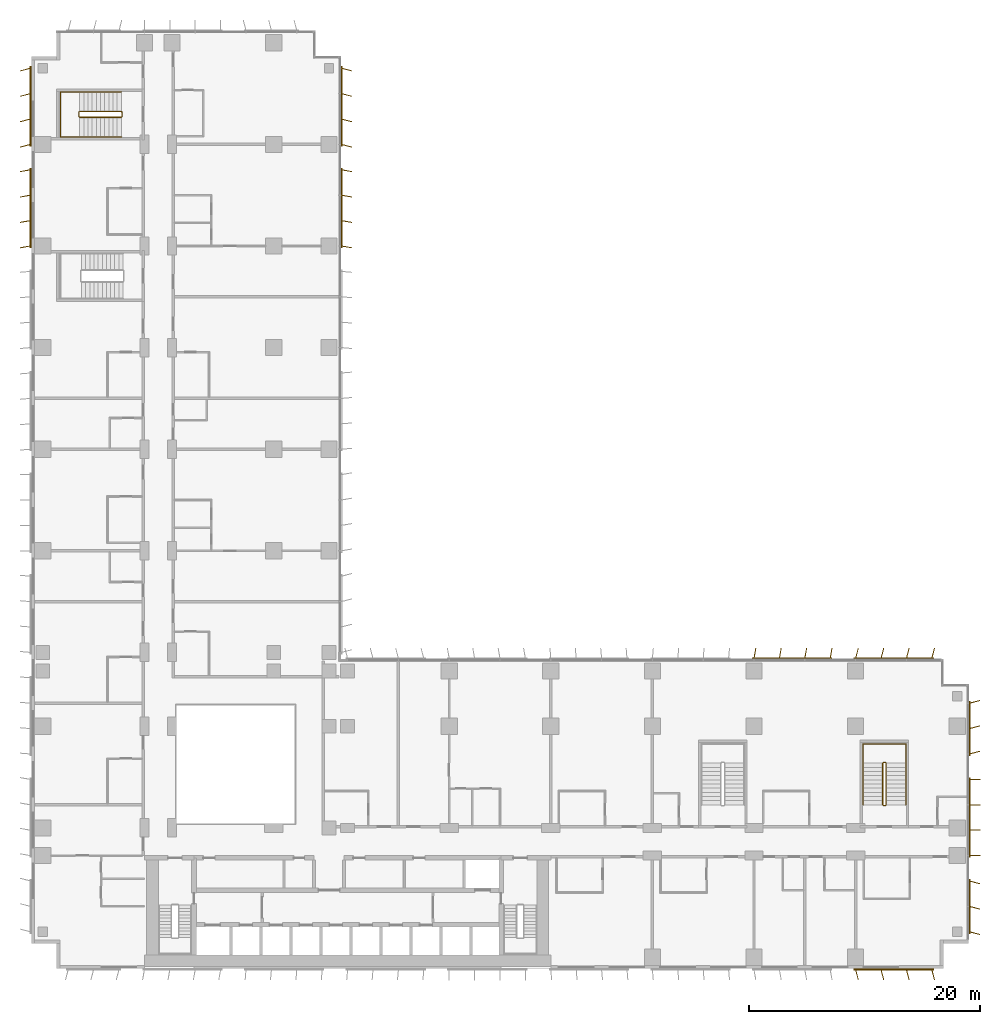
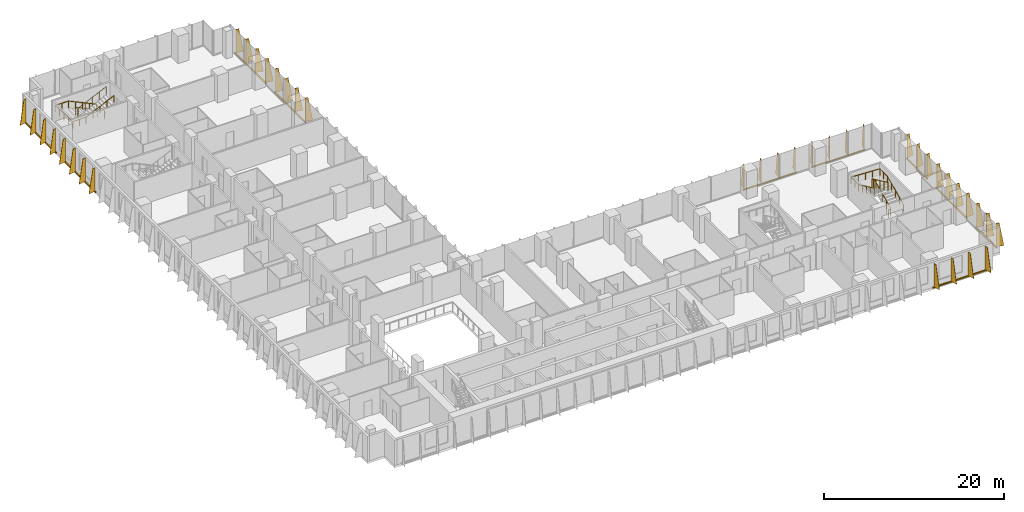
# One storey, part 23 of 24: 10 shading devices, 4 railings.
"""IFC4 building model written with IfcOpenShell, lengths in metres."""

from ifc_helpers import new_model, si_unit, direction, frame, origin, origin_2d, place, context, subcontext, project, spatial, polyline, rectangle, circle, outline, extrude, source, transform, mapped, material, layer, layer_set, type_object, element, save


model = new_model("IFC4")

# Units and contexts
model_context = context("Model", 3, precision=1e-05, world=origin(), true_north=direction((0.0, 1.0)))
body_context = subcontext(model_context, "Body", "Model", "MODEL_VIEW")
ifc_project = project(units=[si_unit("LENGTHUNIT", "METRE"), si_unit("AREAUNIT", "SQUARE_METRE"), si_unit("VOLUMEUNIT", "CUBIC_METRE"), si_unit("PLANEANGLEUNIT", "RADIAN"), si_unit("MASSUNIT", "GRAM", prefix="KILO")], contexts=[model_context])

# Site, building, storey
site_placement = place(None, origin())
site = spatial("IfcSite", under=ifc_project, at=site_placement, CompositionType="ELEMENT")
building_placement = place(site_placement, origin())
building = spatial("IfcBuilding", under=site, at=building_placement, Name="Kemantara Hotel Tower", CompositionType="ELEMENT")
storey_placement = place(building_placement, frame((0.0, 0.0, 41.39990234375)))
storey = spatial("IfcBuildingStorey", under=building, at=storey_placement, Name="L08", CompositionType="ELEMENT", Elevation=41.39990234375)

# Railings
ifc_material_1 = material(Name="Stainless steel balustrade", Category="steel")
railing_type_1 = type_object("IfcRailingType", Name="Stair guard 1100 mm", PredefinedType="GUARDRAIL", material=ifc_material_1)
railing_1_placement = place(storey_placement, frame((73.75, 14.199951171875, 3.7001953125)))
element("IfcRailing", 1, at=railing_1_placement, inside=storey, type_object=railing_type_1, Name="L08 ST5 stair guard 1", PredefinedType="GUARDRAIL", context=body_context, shape_type="SweptSolid", body=[
    extrude(circle(Radius=0.02392578125, at=origin_2d()), frame((0.0, 0.0, 1.076171875), z_axis=(0.0, 0.906005689286, -0.423265508849), x_axis=(-1.0, 0.0, 0.0)), (0.0, 0.0, 1.0), 3.9736328125),
    extrude(circle(Radius=0.02392578125, at=origin_2d()), frame((0.0, 3.60009765625, -0.60595703125), z_axis=(0.274243871929, 0.274243871929, -0.92172696468), x_axis=(-0.707106781187, 0.707106781187, 0.0)), (0.0, 0.0, 1.0), 0.1826171875),
    extrude(circle(Radius=0.02392578125, at=origin_2d()), frame((0.050048828125, 3.650146484375, -0.77392578125), z_axis=(1.0, 0.0, 0.0), x_axis=(0.0, 1.0, 0.0)), (0.0, 0.0, 1.0), 0.199951171875),
    extrude(circle(Radius=0.02392578125, at=origin_2d()), frame((0.25, 3.650146484375, -0.77392578125), z_axis=(0.707106781187, -0.707106781187, 0.0), x_axis=(0.707106781187, 0.707106781187, 0.0)), (0.0, 0.0, 1.0), 0.07080078125),
    extrude(circle(Radius=0.02392578125, at=origin_2d()), frame((0.300048828125, 3.60009765625, -0.77392578125), z_axis=(0.0, -0.906005689286, -0.423265508849), x_axis=(1.0, 0.0, 0.0)), (0.0, 0.0, 1.0), 3.9736328125),
    extrude(circle(Radius=0.02392578125, at=origin_2d()), frame((0.300048828125, 0.0, -2.4560546875), z_axis=(-0.274243871929, -0.274243871929, -0.92172696468), x_axis=(0.707106781187, -0.707106781187, 0.0)), (0.0, 0.0, 1.0), 0.1826171875),
    extrude(circle(Radius=0.02392578125, at=origin_2d()), frame((0.25, -0.050048828125, -2.6240234375), z_axis=(-1.0, 0.0, 0.0), x_axis=(0.0, -1.0, 0.0)), (0.0, 0.0, 1.0), 0.199951171875),
    extrude(circle(Radius=0.02099609375, at=origin_2d()), origin(), (0.0, 0.0, 1.0), 1.052001953125),
    extrude(circle(Radius=0.02099609375, at=origin_2d()), frame((0.0, 0.89990234375, -0.42041015625)), (0.0, 0.0, 1.0), 1.052001953125),
    extrude(circle(Radius=0.02099609375, at=origin_2d()), frame((0.0, 1.800048828125, -0.8408203125)), (0.0, 0.0, 1.0), 1.052001953125),
    extrude(circle(Radius=0.02099609375, at=origin_2d()), frame((0.0, 2.7001953125, -1.261474609375)), (0.0, 0.0, 1.0), 1.052001953125),
    extrude(circle(Radius=0.02099609375, at=origin_2d()), frame((0.0, 3.60009765625, -1.681884765625)), (0.0, 0.0, 1.0), 1.052001953125),
    extrude(circle(Radius=0.02099609375, at=origin_2d()), frame((0.050048828125, 3.650146484375, -1.85009765625)), (0.0, 0.0, 1.0), 1.052001953125),
    extrude(circle(Radius=0.02099609375, at=origin_2d()), frame((0.25, 3.650146484375, -1.85009765625)), (0.0, 0.0, 1.0), 1.052001953125),
    extrude(circle(Radius=0.02099609375, at=origin_2d()), frame((0.300048828125, 3.60009765625, -1.85009765625)), (0.0, 0.0, 1.0), 1.052001953125),
    extrude(circle(Radius=0.02099609375, at=origin_2d()), frame((0.300048828125, 2.7001953125, -2.2705078125)), (0.0, 0.0, 1.0), 1.052001953125),
    extrude(circle(Radius=0.02099609375, at=origin_2d()), frame((0.300048828125, 1.800048828125, -2.69091796875)), (0.0, 0.0, 1.0), 1.052001953125),
    extrude(circle(Radius=0.02099609375, at=origin_2d()), frame((0.300048828125, 0.89990234375, -3.111572265625)), (0.0, 0.0, 1.0), 1.052001953125),
    extrude(circle(Radius=0.02099609375, at=origin_2d()), frame((0.300048828125, 0.0, -3.531982421875)), (0.0, 0.0, 1.0), 1.052001953125),
    extrude(circle(Radius=0.02099609375, at=origin_2d()), frame((0.25, -0.050048828125, -3.7001953125)), (0.0, 0.0, 1.0), 1.052001953125),
    extrude(circle(Radius=0.02099609375, at=origin_2d()), frame((0.050048828125, -0.050048828125, -3.7001953125)), (0.0, 0.0, 1.0), 1.052001953125),
])
railing_2_placement = place(storey_placement, frame((7.800048828125, 73.75, 3.7001953125)))
element("IfcRailing", 2, at=railing_2_placement, inside=storey, type_object=railing_type_1, Name="L08 ST6 stair guard 1", PredefinedType="GUARDRAIL", context=body_context, shape_type="SweptSolid", body=[
    extrude(circle(Radius=0.02392578125, at=origin_2d()), frame((0.0, 0.0, 1.076171875), z_axis=(-0.906005689286, 0.0, -0.423265508849), x_axis=(0.0, -1.0, 0.0)), (0.0, 0.0, 1.0), 3.9736328125),
    extrude(circle(Radius=0.02392578125, at=origin_2d()), frame((-3.60009765625, 0.0, -0.60595703125), z_axis=(-0.274243871929, 0.274243871929, -0.92172696468), x_axis=(-0.707106781187, -0.707106781187, 0.0)), (0.0, 0.0, 1.0), 0.1826171875),
    extrude(circle(Radius=0.02392578125, at=origin_2d()), frame((-3.650146484375, 0.050048828125, -0.77392578125), z_axis=(0.0, 1.0, 0.0), x_axis=(-1.0, 0.0, 0.0)), (0.0, 0.0, 1.0), 0.39990234375),
    extrude(circle(Radius=0.02392578125, at=origin_2d()), frame((-3.650146484375, 0.449951171875, -0.77392578125), z_axis=(0.707106781187, 0.707106781187, 0.0), x_axis=(-0.707106781187, 0.707106781187, 0.0)), (0.0, 0.0, 1.0), 0.07080078125),
    extrude(circle(Radius=0.02392578125, at=origin_2d()), frame((-3.60009765625, 0.5, -0.77392578125), z_axis=(0.906005689286, 0.0, -0.423265508849), x_axis=(0.0, 1.0, 0.0)), (0.0, 0.0, 1.0), 3.9736328125),
    extrude(circle(Radius=0.02392578125, at=origin_2d()), frame((0.0, 0.5, -2.4560546875), z_axis=(0.274243871929, -0.274243871929, -0.92172696468), x_axis=(0.707106781187, 0.707106781187, 0.0)), (0.0, 0.0, 1.0), 0.1826171875),
    extrude(circle(Radius=0.02392578125, at=origin_2d()), frame((0.050048828125, 0.449951171875, -2.6240234375), z_axis=(0.0, -1.0, 0.0), x_axis=(1.0, 0.0, 0.0)), (0.0, 0.0, 1.0), 0.39990234375),
    extrude(circle(Radius=0.02099609375, at=origin_2d()), origin(), (0.0, 0.0, 1.0), 1.052001953125),
    extrude(circle(Radius=0.02099609375, at=origin_2d()), frame((-0.89990234375, 0.0, -0.42041015625)), (0.0, 0.0, 1.0), 1.052001953125),
    extrude(circle(Radius=0.02099609375, at=origin_2d()), frame((-1.800048828125, 0.0, -0.8408203125)), (0.0, 0.0, 1.0), 1.052001953125),
    extrude(circle(Radius=0.02099609375, at=origin_2d()), frame((-2.7001953125, 0.0, -1.261474609375)), (0.0, 0.0, 1.0), 1.052001953125),
    extrude(circle(Radius=0.02099609375, at=origin_2d()), frame((-3.60009765625, 0.0, -1.681884765625)), (0.0, 0.0, 1.0), 1.052001953125),
    extrude(circle(Radius=0.02099609375, at=origin_2d()), frame((-3.650146484375, 0.050048828125, -1.85009765625)), (0.0, 0.0, 1.0), 1.052001953125),
    extrude(circle(Radius=0.02099609375, at=origin_2d()), frame((-3.650146484375, 0.449951171875, -1.85009765625)), (0.0, 0.0, 1.0), 1.052001953125),
    extrude(circle(Radius=0.02099609375, at=origin_2d()), frame((-3.60009765625, 0.5, -1.85009765625)), (0.0, 0.0, 1.0), 1.052001953125),
    extrude(circle(Radius=0.02099609375, at=origin_2d()), frame((-2.7001953125, 0.5, -2.2705078125)), (0.0, 0.0, 1.0), 1.052001953125),
    extrude(circle(Radius=0.02099609375, at=origin_2d()), frame((-1.800048828125, 0.5, -2.69091796875)), (0.0, 0.0, 1.0), 1.052001953125),
    extrude(circle(Radius=0.02099609375, at=origin_2d()), frame((-0.89990234375, 0.5, -3.111572265625)), (0.0, 0.0, 1.0), 1.052001953125),
    extrude(circle(Radius=0.02099609375, at=origin_2d()), frame((0.0, 0.5, -3.531982421875)), (0.0, 0.0, 1.0), 1.052001953125),
    extrude(circle(Radius=0.02099609375, at=origin_2d()), frame((0.050048828125, 0.449951171875, -3.7001953125)), (0.0, 0.0, 1.0), 1.052001953125),
    extrude(circle(Radius=0.02099609375, at=origin_2d()), frame((0.050048828125, 0.050048828125, -3.7001953125)), (0.0, 0.0, 1.0), 1.052001953125),
])
railing_type_2 = type_object("IfcRailingType", Name="Stair handrail 900 mm", PredefinedType="HANDRAIL", material=ifc_material_1)
railing_3_placement = place(storey_placement, frame((75.75, 14.199951171875, 0.168212890625)))
element("IfcRailing", 3, at=railing_3_placement, inside=storey, type_object=railing_type_2, Name="L08 ST5 stair handrail 1", PredefinedType="HANDRAIL", context=body_context, shape_type="SweptSolid", body=[
    extrude(circle(Radius=0.02392578125, at=origin_2d()), frame((0.0, 0.0, 0.8759765625), z_axis=(0.0, 0.906005689286, 0.423265508849), x_axis=(-1.0, 0.0, 0.0)), (0.0, 0.0, 1.0), 3.9736328125),
    extrude(circle(Radius=0.02392578125, at=origin_2d()), frame((0.0, 3.60009765625, 2.5576171875), z_axis=(0.0, 1.0, 0.0), x_axis=(-1.0, 0.0, 0.0)), (0.0, 0.0, 1.0), 1.679931640625),
    extrude(circle(Radius=0.02392578125, at=origin_2d()), frame((0.0, 5.280029296875, 2.5576171875), z_axis=(-0.998968132438, 0.0, 0.045416631029), x_axis=(0.0, -1.0, 0.0)), (0.0, 0.0, 1.0), 3.703857421875),
    extrude(circle(Radius=0.02392578125, at=origin_2d()), frame((-3.699951171875, 5.280029296875, 2.72607421875), z_axis=(0.0, -1.0, 0.0), x_axis=(1.0, 0.0, 0.0)), (0.0, 0.0, 1.0), 1.679931640625),
    extrude(circle(Radius=0.02392578125, at=origin_2d()), frame((-3.699951171875, 3.60009765625, 2.72607421875), z_axis=(0.0, -0.906005689286, 0.423265508849), x_axis=(1.0, 0.0, 0.0)), (0.0, 0.0, 1.0), 3.9736328125),
    extrude(circle(Radius=0.02099609375, at=origin_2d()), origin(), (0.0, 0.0, 1.0), 0.851806640625),
    extrude(circle(Radius=0.02099609375, at=origin_2d()), frame((0.0, 0.89990234375, 0.42041015625)), (0.0, 0.0, 1.0), 0.851806640625),
    extrude(circle(Radius=0.02099609375, at=origin_2d()), frame((0.0, 1.800048828125, 0.8408203125)), (0.0, 0.0, 1.0), 0.851806640625),
    extrude(circle(Radius=0.02099609375, at=origin_2d()), frame((0.0, 2.7001953125, 1.261474609375)), (0.0, 0.0, 1.0), 0.851806640625),
    extrude(circle(Radius=0.02099609375, at=origin_2d()), frame((0.0, 3.60009765625, 1.681884765625)), (0.0, 0.0, 1.0), 0.851806640625),
    extrude(circle(Radius=0.02099609375, at=origin_2d()), frame((0.0, 4.43994140625, 1.681884765625)), (0.0, 0.0, 1.0), 0.851806640625),
    extrude(circle(Radius=0.02099609375, at=origin_2d()), frame((0.0, 5.280029296875, 1.681884765625)), (0.0, 0.0, 1.0), 0.851806640625),
    extrude(circle(Radius=0.02099609375, at=origin_2d()), frame((-0.925048828125, 5.280029296875, 1.723876953125)), (0.0, 0.0, 1.0), 0.851806640625),
    extrude(circle(Radius=0.02099609375, at=origin_2d()), frame((-1.85009765625, 5.280029296875, 1.76611328125)), (0.0, 0.0, 1.0), 0.851806640625),
    extrude(circle(Radius=0.02099609375, at=origin_2d()), frame((-2.77490234375, 5.280029296875, 1.80810546875)), (0.0, 0.0, 1.0), 0.851806640625),
    extrude(circle(Radius=0.02099609375, at=origin_2d()), frame((-3.699951171875, 5.280029296875, 1.85009765625)), (0.0, 0.0, 1.0), 0.851806640625),
    extrude(circle(Radius=0.02099609375, at=origin_2d()), frame((-3.699951171875, 4.43994140625, 1.85009765625)), (0.0, 0.0, 1.0), 0.851806640625),
    extrude(circle(Radius=0.02099609375, at=origin_2d()), frame((-3.699951171875, 3.60009765625, 1.85009765625)), (0.0, 0.0, 1.0), 0.851806640625),
    extrude(circle(Radius=0.02099609375, at=origin_2d()), frame((-3.699951171875, 2.7001953125, 2.2705078125)), (0.0, 0.0, 1.0), 0.851806640625),
    extrude(circle(Radius=0.02099609375, at=origin_2d()), frame((-3.699951171875, 1.800048828125, 2.69091796875)), (0.0, 0.0, 1.0), 0.851806640625),
    extrude(circle(Radius=0.02099609375, at=origin_2d()), frame((-3.699951171875, 0.89990234375, 3.111572265625)), (0.0, 0.0, 1.0), 0.851806640625),
    extrude(circle(Radius=0.02099609375, at=origin_2d()), frame((-3.699951171875, 0.0, 3.531982421875)), (0.0, 0.0, 1.0), 0.851806640625),
])
railing_4_placement = place(storey_placement, frame((7.800048828125, 75.949951171875, 0.168212890625)))
element("IfcRailing", 4, at=railing_4_placement, inside=storey, type_object=railing_type_2, Name="L08 ST6 stair handrail 1", PredefinedType="HANDRAIL", context=body_context, shape_type="SweptSolid", body=[
    extrude(circle(Radius=0.02392578125, at=origin_2d()), frame((0.0, 0.0, 0.8759765625), z_axis=(-0.906005689286, 0.0, 0.423265508849), x_axis=(0.0, -1.0, 0.0)), (0.0, 0.0, 1.0), 3.9736328125),
    extrude(circle(Radius=0.02392578125, at=origin_2d()), frame((-3.60009765625, 0.0, 2.5576171875), z_axis=(-1.0, 0.0, 0.0), x_axis=(0.0, -1.0, 0.0)), (0.0, 0.0, 1.0), 1.679931640625),
    extrude(circle(Radius=0.02392578125, at=origin_2d()), frame((-5.280029296875, 0.0, 2.5576171875), z_axis=(0.0, -0.999071085748, 0.043092523981), x_axis=(1.0, 0.0, 0.0)), (0.0, 0.0, 1.0), 3.903564453125),
    extrude(circle(Radius=0.02392578125, at=origin_2d()), frame((-5.280029296875, -3.89990234375, 2.72607421875), z_axis=(1.0, 0.0, 0.0), x_axis=(0.0, 1.0, 0.0)), (0.0, 0.0, 1.0), 1.679931640625),
    extrude(circle(Radius=0.02392578125, at=origin_2d()), frame((-3.60009765625, -3.89990234375, 2.72607421875), z_axis=(0.906005689286, 0.0, 0.423265508849), x_axis=(0.0, 1.0, 0.0)), (0.0, 0.0, 1.0), 3.9736328125),
    extrude(circle(Radius=0.02099609375, at=origin_2d()), origin(), (0.0, 0.0, 1.0), 0.851806640625),
    extrude(circle(Radius=0.02099609375, at=origin_2d()), frame((-0.89990234375, 0.0, 0.42041015625)), (0.0, 0.0, 1.0), 0.851806640625),
    extrude(circle(Radius=0.02099609375, at=origin_2d()), frame((-1.800048828125, 0.0, 0.8408203125)), (0.0, 0.0, 1.0), 0.851806640625),
    extrude(circle(Radius=0.02099609375, at=origin_2d()), frame((-2.7001953125, 0.0, 1.261474609375)), (0.0, 0.0, 1.0), 0.851806640625),
    extrude(circle(Radius=0.02099609375, at=origin_2d()), frame((-3.60009765625, 0.0, 1.681884765625)), (0.0, 0.0, 1.0), 0.851806640625),
    extrude(circle(Radius=0.02099609375, at=origin_2d()), frame((-4.43994140625, 0.0, 1.681884765625)), (0.0, 0.0, 1.0), 0.851806640625),
    extrude(circle(Radius=0.02099609375, at=origin_2d()), frame((-5.280029296875, 0.0, 1.681884765625)), (0.0, 0.0, 1.0), 0.851806640625),
    extrude(circle(Radius=0.02099609375, at=origin_2d()), frame((-5.280029296875, -0.97509765625, 1.723876953125)), (0.0, 0.0, 1.0), 0.851806640625),
    extrude(circle(Radius=0.02099609375, at=origin_2d()), frame((-5.280029296875, -1.949951171875, 1.76611328125)), (0.0, 0.0, 1.0), 0.851806640625),
    extrude(circle(Radius=0.02099609375, at=origin_2d()), frame((-5.280029296875, -2.9248046875, 1.80810546875)), (0.0, 0.0, 1.0), 0.851806640625),
    extrude(circle(Radius=0.02099609375, at=origin_2d()), frame((-5.280029296875, -3.89990234375, 1.85009765625)), (0.0, 0.0, 1.0), 0.851806640625),
    extrude(circle(Radius=0.02099609375, at=origin_2d()), frame((-4.43994140625, -3.89990234375, 1.85009765625)), (0.0, 0.0, 1.0), 0.851806640625),
    extrude(circle(Radius=0.02099609375, at=origin_2d()), frame((-3.60009765625, -3.89990234375, 1.85009765625)), (0.0, 0.0, 1.0), 0.851806640625),
    extrude(circle(Radius=0.02099609375, at=origin_2d()), frame((-2.7001953125, -3.89990234375, 2.2705078125)), (0.0, 0.0, 1.0), 0.851806640625),
    extrude(circle(Radius=0.02099609375, at=origin_2d()), frame((-1.800048828125, -3.89990234375, 2.69091796875)), (0.0, 0.0, 1.0), 0.851806640625),
    extrude(circle(Radius=0.02099609375, at=origin_2d()), frame((-0.89990234375, -3.89990234375, 3.111572265625)), (0.0, 0.0, 1.0), 0.851806640625),
    extrude(circle(Radius=0.02099609375, at=origin_2d()), frame((0.0, -3.89990234375, 3.531982421875)), (0.0, 0.0, 1.0), 0.851806640625),
])

# Shading devices
ifc_material_2 = material(Name="Perforated aluminium plate 4 mm bronze anodised", Category="aluminium")
ifc_layer_1 = layer(ifc_material_2, 0.0400390625)
ifc_layer_set_1 = layer_set([ifc_layer_1], Name="Perforated aluminium plate 4 mm bronze anodised")
shading_device_type_1 = type_object("IfcShadingDeviceType", Name="SCREEN FIN CASSETTE, 3 BLADES AT -15.0 DEG, 3200 HIGH", PredefinedType="USERDEFINED", material=ifc_layer_set_1)
shared_shape_1 = source(origin(), body_context, "Body", "SweptSolid", [
    extrude(rectangle(XDim=4.699951171875, YDim=0.14990234375, at=origin_2d()), frame((2.199951171875, -0.074951171875, -0.14990234375), z_axis=(0.0, 0.0, 1.0), x_axis=(1.0, 0.0, 0.0)), (0.0, 0.0, 1.0), 0.14990234375),
    extrude(outline(polyline([(0.0, 0.0), (0.89990234375, 0.0), (0.35009765625, 3.199951171875), (0.0, 3.199951171875), (0.0, 0.0)])), frame((0.019287109375, -0.080078125, 0.0), z_axis=(-0.966437683387, 0.256901156343, 0.0), x_axis=(-0.256901156343, -0.966437683387, 0.0)), (0.0, 0.0, 1.0), 0.039794921875),
    extrude(outline(polyline([(0.0, 0.0), (0.89990234375, 0.0), (0.35009765625, 3.199951171875), (0.0, 3.199951171875), (0.0, 0.0)])), frame((2.21923828125, -0.080078125, 0.0), z_axis=(-0.966437683387, 0.256901156343, 0.0), x_axis=(-0.256901156343, -0.966437683387, 0.0)), (0.0, 0.0, 1.0), 0.039794921875),
    extrude(outline(polyline([(0.0, 0.0), (0.89990234375, 0.0), (0.35009765625, 3.199951171875), (0.0, 3.199951171875), (0.0, 0.0)])), frame((4.41943359375, -0.080078125, 0.0), z_axis=(-0.966837822169, 0.255391122837, 0.0), x_axis=(-0.255391122837, -0.966837822169, 0.0)), (0.0, 0.0, 1.0), 0.0400390625),
])
shading_device_1_placement = place(storey_placement, frame((81.199951171875, 3.199951171875, 0.10009765625), z_axis=(0.0, 0.0, 1.0), x_axis=(0.0, 1.0, 0.0)))
element("IfcShadingDevice", 5, at=shading_device_1_placement, inside=storey, type_object=shading_device_type_1, Name="SCREEN FIN CASSETTE L08 T1-R04-1", ObjectType="SCREEN FIN", PredefinedType="USERDEFINED", context=body_context, shape_type="MappedRepresentation", body=[
    mapped(shared_shape_1, transform((0.0, 0.0, 0.0))),
])
ifc_layer_2 = layer(ifc_material_2, 0.0400390625)
ifc_layer_set_2 = layer_set([ifc_layer_2], Name="Perforated aluminium plate 4 mm bronze anodised")
shading_device_type_2 = type_object("IfcShadingDeviceType", Name="SCREEN FIN CASSETTE, 4 BLADES AT -10.0 DEG, 3200 HIGH", PredefinedType="USERDEFINED", material=ifc_layer_set_2)
shared_shape_2 = source(origin(), body_context, "Body", "SweptSolid", [
    extrude(rectangle(XDim=6.89990234375, YDim=0.14990234375, at=origin_2d()), frame((3.300048828125, -0.074951171875, -0.14990234375), z_axis=(0.0, 0.0, 1.0), x_axis=(1.0, 0.0, 0.0)), (0.0, 0.0, 1.0), 0.14990234375),
    extrude(outline(polyline([(0.0, 0.0), (0.89990234375, 0.0), (0.35009765625, 3.199951171875), (0.0, 3.199951171875), (0.0, 0.0)])), frame((0.019775390625, -0.078369140625, 0.0), z_axis=(-0.985389793052, 0.170314285219, 0.0), x_axis=(-0.170314285219, -0.985389793052, 0.0)), (0.0, 0.0, 1.0), 0.0400390625),
    extrude(outline(polyline([(0.0, 0.0), (0.89990234375, 0.0), (0.35009765625, 3.199951171875), (0.0, 3.199951171875), (0.0, 0.0)])), frame((2.2197265625, -0.078369140625, 0.0), z_axis=(-0.98521175482, 0.171341174751, 0.0), x_axis=(-0.171341174751, -0.98521175482, 0.0)), (0.0, 0.0, 1.0), 0.039794921875),
    extrude(outline(polyline([(0.0, 0.0), (0.89990234375, 0.0), (0.35009765625, 3.199951171875), (0.0, 3.199951171875), (0.0, 0.0)])), frame((4.419677734375, -0.078369140625, 0.0), z_axis=(-0.98521175482, 0.171341174751, 0.0), x_axis=(-0.171341174751, -0.98521175482, 0.0)), (0.0, 0.0, 1.0), 0.039794921875),
    extrude(outline(polyline([(0.0, 0.0), (0.89990234375, 0.0), (0.35009765625, 3.199951171875), (0.0, 3.199951171875), (0.0, 0.0)])), frame((6.61962890625, -0.078369140625, 0.0), z_axis=(-0.98521175482, 0.171341174751, 0.0), x_axis=(-0.171341174751, -0.98521175482, 0.0)), (0.0, 0.0, 1.0), 0.039794921875),
])
for number, where, z_axis, x_axis, name in (
    (6, (69.199951171875, 26.800048828125, 0.10009765625), (0.0, 0.0, 1.0), (-1.0, 0.0, 0.0), "SCREEN FIN CASSETTE L08 T1-R07-2"),
    (7, (26.800048828125, 62.60009765625, 0.10009765625), (0.0, 0.0, 1.0), (0.0, 1.0, 0.0), "SCREEN FIN CASSETTE L08 T1-R08-5"),
):
    element("IfcShadingDevice", number, at=place(storey_placement, frame(where, z_axis=z_axis, x_axis=x_axis)), inside=storey, type_object=shading_device_type_2, Name=name, ObjectType="SCREEN FIN", PredefinedType="USERDEFINED", context=body_context, shape_type="MappedRepresentation", body=[
        mapped(shared_shape_2, transform((0.0, 0.0, 0.0))),
    ])
ifc_layer_3 = layer(ifc_material_2, 0.0400390625)
ifc_layer_set_3 = layer_set([ifc_layer_3], Name="Perforated aluminium plate 4 mm bronze anodised")
shading_device_type_3 = type_object("IfcShadingDeviceType", Name="SCREEN FIN CASSETTE, 4 BLADES AT +0.0 DEG, 3200 HIGH", PredefinedType="USERDEFINED", material=ifc_layer_set_3)
shared_shape_3 = source(origin(), body_context, "Body", "SweptSolid", [
    extrude(rectangle(XDim=6.89990234375, YDim=0.14990234375, at=origin_2d()), frame((3.300048828125, -0.074951171875, -0.14990234375), z_axis=(0.0, 0.0, 1.0), x_axis=(1.0, 0.0, 0.0)), (0.0, 0.0, 1.0), 0.14990234375),
    extrude(outline(polyline([(0.0, 0.0), (0.89990234375, 0.0), (0.35009765625, 3.199951171875), (0.0, 3.199951171875), (0.0, 0.0)])), frame((0.02001953125, -0.074951171875, 0.0), z_axis=(-1.0, 0.0, 0.0), x_axis=(0.0, -1.0, 0.0)), (0.0, 0.0, 1.0), 0.0400390625),
    extrude(outline(polyline([(0.0, 0.0), (0.89990234375, 0.0), (0.35009765625, 3.199951171875), (0.0, 3.199951171875), (0.0, 0.0)])), frame((2.219970703125, -0.074951171875, 0.0), z_axis=(-1.0, 0.0, 0.0), x_axis=(0.0, -1.0, 0.0)), (0.0, 0.0, 1.0), 0.0400390625),
    extrude(outline(polyline([(0.0, 0.0), (0.89990234375, 0.0), (0.35009765625, 3.199951171875), (0.0, 3.199951171875), (0.0, 0.0)])), frame((4.419921875, -0.074951171875, 0.0), z_axis=(-1.0, 0.0, 0.0), x_axis=(0.0, -1.0, 0.0)), (0.0, 0.0, 1.0), 0.0400390625),
    extrude(outline(polyline([(0.0, 0.0), (0.89990234375, 0.0), (0.35009765625, 3.199951171875), (0.0, 3.199951171875), (0.0, 0.0)])), frame((6.6201171875, -0.074951171875, 0.0), z_axis=(-1.0, 0.0, 0.0), x_axis=(0.0, -1.0, 0.0)), (0.0, 0.0, 1.0), 0.0400390625),
])
shading_device_2_placement = place(storey_placement, frame((81.199951171875, 9.800048828125, 0.10009765625), z_axis=(0.0, 0.0, 1.0), x_axis=(0.0, 1.0, 0.0)))
element("IfcShadingDevice", 8, at=shading_device_2_placement, inside=storey, type_object=shading_device_type_3, Name="SCREEN FIN CASSETTE L08 T1-R04-2", ObjectType="SCREEN FIN", PredefinedType="USERDEFINED", context=body_context, shape_type="MappedRepresentation", body=[
    mapped(shared_shape_3, transform((0.0, 0.0, 0.0))),
])
ifc_layer_4 = layer(ifc_material_2, 0.0400390625)
ifc_layer_set_4 = layer_set([ifc_layer_4], Name="Perforated aluminium plate 4 mm bronze anodised")
shading_device_type_4 = type_object("IfcShadingDeviceType", Name="SCREEN FIN CASSETTE, 4 BLADES AT +10.0 DEG, 3200 HIGH", PredefinedType="USERDEFINED", material=ifc_layer_set_4)
shared_shape_4 = source(origin(), body_context, "Body", "SweptSolid", [
    extrude(rectangle(XDim=6.89990234375, YDim=0.14990234375, at=origin_2d()), frame((3.300048828125, -0.074951171875, -0.14990234375), z_axis=(0.0, 0.0, 1.0), x_axis=(1.0, 0.0, 0.0)), (0.0, 0.0, 1.0), 0.14990234375),
    extrude(outline(polyline([(0.0, 0.0), (0.89990234375, 0.0), (0.35009765625, 3.199951171875), (0.0, 3.199951171875), (0.0, 0.0)])), frame((0.019775390625, -0.071533203125, 0.0), z_axis=(-0.985389793052, -0.170314285219, 0.0), x_axis=(0.170314285219, -0.985389793052, 0.0)), (0.0, 0.0, 1.0), 0.0400390625),
    extrude(outline(polyline([(0.0, 0.0), (0.89990234375, 0.0), (0.35009765625, 3.199951171875), (0.0, 3.199951171875), (0.0, 0.0)])), frame((2.2197265625, -0.071533203125, 0.0), z_axis=(-0.98521175482, -0.171341174751, 0.0), x_axis=(0.171341174751, -0.98521175482, 0.0)), (0.0, 0.0, 1.0), 0.039794921875),
    extrude(outline(polyline([(0.0, 0.0), (0.89990234375, 0.0), (0.35009765625, 3.199951171875), (0.0, 3.199951171875), (0.0, 0.0)])), frame((4.419677734375, -0.071533203125, 0.0), z_axis=(-0.98521175482, -0.171341174751, 0.0), x_axis=(0.171341174751, -0.98521175482, 0.0)), (0.0, 0.0, 1.0), 0.039794921875),
    extrude(outline(polyline([(0.0, 0.0), (0.89990234375, 0.0), (0.35009765625, 3.199951171875), (0.0, 3.199951171875), (0.0, 0.0)])), frame((6.61962890625, -0.071533203125, 0.0), z_axis=(-0.98521175482, -0.171341174751, 0.0), x_axis=(0.171341174751, -0.98521175482, 0.0)), (0.0, 0.0, 1.0), 0.039794921875),
])
shading_device_3_placement = place(storey_placement, frame((0.0, 69.199951171875, 0.10009765625), z_axis=(0.0, 0.0, 1.0), x_axis=(0.0, -1.0, 0.0)))
element("IfcShadingDevice", 9, at=shading_device_3_placement, inside=storey, type_object=shading_device_type_4, Name="SCREEN FIN CASSETTE L08 T1-R14-2", ObjectType="SCREEN FIN", PredefinedType="USERDEFINED", context=body_context, shape_type="MappedRepresentation", body=[
    mapped(shared_shape_4, transform((0.0, 0.0, 0.0))),
])
ifc_layer_5 = layer(ifc_material_2, 0.0400390625)
ifc_layer_set_5 = layer_set([ifc_layer_5], Name="Perforated aluminium plate 4 mm bronze anodised")
shading_device_type_5 = type_object("IfcShadingDeviceType", Name="SCREEN FIN CASSETTE, 4 BLADES AT +15.0 DEG, 3200 HIGH", PredefinedType="USERDEFINED", material=ifc_layer_set_5)
shared_shape_5 = source(origin(), body_context, "Body", "SweptSolid", [
    extrude(rectangle(XDim=6.89990234375, YDim=0.14990234375, at=origin_2d()), frame((3.300048828125, -0.074951171875, -0.14990234375), z_axis=(0.0, 0.0, 1.0), x_axis=(1.0, 0.0, 0.0)), (0.0, 0.0, 1.0), 0.14990234375),
    extrude(outline(polyline([(0.0, 0.0), (0.89990234375, 0.0), (0.35009765625, 3.199951171875), (0.0, 3.199951171875), (0.0, 0.0)])), frame((0.019287109375, -0.06982421875, 0.0), z_axis=(-0.966437683387, -0.256901156343, 0.0), x_axis=(0.256901156343, -0.966437683387, 0.0)), (0.0, 0.0, 1.0), 0.039794921875),
    extrude(outline(polyline([(0.0, 0.0), (0.89990234375, 0.0), (0.35009765625, 3.199951171875), (0.0, 3.199951171875), (0.0, 0.0)])), frame((2.21923828125, -0.06982421875, 0.0), z_axis=(-0.966437683387, -0.256901156343, 0.0), x_axis=(0.256901156343, -0.966437683387, 0.0)), (0.0, 0.0, 1.0), 0.039794921875),
    extrude(outline(polyline([(0.0, 0.0), (0.89990234375, 0.0), (0.35009765625, 3.199951171875), (0.0, 3.199951171875), (0.0, 0.0)])), frame((4.41943359375, -0.06982421875, 0.0), z_axis=(-0.966837822169, -0.255391122837, 0.0), x_axis=(0.255391122837, -0.966837822169, 0.0)), (0.0, 0.0, 1.0), 0.0400390625),
    extrude(outline(polyline([(0.0, 0.0), (0.89990234375, 0.0), (0.35009765625, 3.199951171875), (0.0, 3.199951171875), (0.0, 0.0)])), frame((6.619384765625, -0.06982421875, 0.0), z_axis=(-0.966837822169, -0.255391122837, 0.0), x_axis=(0.255391122837, -0.966837822169, 0.0)), (0.0, 0.0, 1.0), 0.0400390625),
])
for number, where, z_axis, x_axis, name in (
    (10, (71.39990234375, 0.0, 0.10009765625), (0.0, 0.0, 1.0), (1.0, 0.0, 0.0), "SCREEN FIN CASSETTE L08 T1-R01-9"),
    (11, (0.0, 78.0, 0.10009765625), (0.0, 0.0, 1.0), (0.0, -1.0, 0.0), "SCREEN FIN CASSETTE L08 T1-R14-1"),
):
    element("IfcShadingDevice", number, at=place(storey_placement, frame(where, z_axis=z_axis, x_axis=x_axis)), inside=storey, type_object=shading_device_type_5, Name=name, ObjectType="SCREEN FIN", PredefinedType="USERDEFINED", context=body_context, shape_type="MappedRepresentation", body=[
        mapped(shared_shape_5, transform((0.0, 0.0, 0.0))),
    ])
ifc_layer_6 = layer(ifc_material_2, 0.0400390625)
ifc_layer_set_6 = layer_set([ifc_layer_6], Name="Perforated aluminium plate 4 mm bronze anodised")
shading_device_type_6 = type_object("IfcShadingDeviceType", Name="SCREEN FIN CASSETTE, 3 BLADES AT +15.0 DEG, 3200 HIGH", PredefinedType="USERDEFINED", material=ifc_layer_set_6)
shared_shape_6 = source(origin(), body_context, "Body", "SweptSolid", [
    extrude(rectangle(XDim=4.699951171875, YDim=0.14990234375, at=origin_2d()), frame((2.199951171875, -0.074951171875, -0.14990234375), z_axis=(0.0, 0.0, 1.0), x_axis=(1.0, 0.0, 0.0)), (0.0, 0.0, 1.0), 0.14990234375),
    extrude(outline(polyline([(0.0, 0.0), (0.89990234375, 0.0), (0.35009765625, 3.199951171875), (0.0, 3.199951171875), (0.0, 0.0)])), frame((0.019287109375, -0.06982421875, 0.0), z_axis=(-0.966437683387, -0.256901156343, 0.0), x_axis=(0.256901156343, -0.966437683387, 0.0)), (0.0, 0.0, 1.0), 0.039794921875),
    extrude(outline(polyline([(0.0, 0.0), (0.89990234375, 0.0), (0.35009765625, 3.199951171875), (0.0, 3.199951171875), (0.0, 0.0)])), frame((2.21923828125, -0.06982421875, 0.0), z_axis=(-0.966437683387, -0.256901156343, 0.0), x_axis=(0.256901156343, -0.966437683387, 0.0)), (0.0, 0.0, 1.0), 0.039794921875),
    extrude(outline(polyline([(0.0, 0.0), (0.89990234375, 0.0), (0.35009765625, 3.199951171875), (0.0, 3.199951171875), (0.0, 0.0)])), frame((4.41943359375, -0.06982421875, 0.0), z_axis=(-0.966837822169, -0.255391122837, 0.0), x_axis=(0.255391122837, -0.966837822169, 0.0)), (0.0, 0.0, 1.0), 0.0400390625),
])
shading_device_4_placement = place(storey_placement, frame((81.199951171875, 18.60009765625, 0.10009765625), z_axis=(0.0, 0.0, 1.0), x_axis=(0.0, 1.0, 0.0)))
element("IfcShadingDevice", 12, at=shading_device_4_placement, inside=storey, type_object=shading_device_type_6, Name="SCREEN FIN CASSETTE L08 T1-R04-3", ObjectType="SCREEN FIN", PredefinedType="USERDEFINED", context=body_context, shape_type="MappedRepresentation", body=[
    mapped(shared_shape_6, transform((0.0, 0.0, 0.0))),
])
ifc_layer_7 = layer(ifc_material_2, 0.0400390625)
ifc_layer_set_7 = layer_set([ifc_layer_7], Name="Perforated aluminium plate 4 mm bronze anodised")
shading_device_type_7 = type_object("IfcShadingDeviceType", Name="SCREEN FIN CASSETTE, 4 BLADES AT -15.0 DEG, 3200 HIGH", PredefinedType="USERDEFINED", material=ifc_layer_set_7)
shared_shape_7 = source(origin(), body_context, "Body", "SweptSolid", [
    extrude(rectangle(XDim=6.89990234375, YDim=0.14990234375, at=origin_2d()), frame((3.300048828125, -0.074951171875, -0.14990234375), z_axis=(0.0, 0.0, 1.0), x_axis=(1.0, 0.0, 0.0)), (0.0, 0.0, 1.0), 0.14990234375),
    extrude(outline(polyline([(0.0, 0.0), (0.89990234375, 0.0), (0.35009765625, 3.199951171875), (0.0, 3.199951171875), (0.0, 0.0)])), frame((0.019287109375, -0.080078125, 0.0), z_axis=(-0.966437683387, 0.256901156343, 0.0), x_axis=(-0.256901156343, -0.966437683387, 0.0)), (0.0, 0.0, 1.0), 0.039794921875),
    extrude(outline(polyline([(0.0, 0.0), (0.89990234375, 0.0), (0.35009765625, 3.199951171875), (0.0, 3.199951171875), (0.0, 0.0)])), frame((2.21923828125, -0.080078125, 0.0), z_axis=(-0.966437683387, 0.256901156343, 0.0), x_axis=(-0.256901156343, -0.966437683387, 0.0)), (0.0, 0.0, 1.0), 0.039794921875),
    extrude(outline(polyline([(0.0, 0.0), (0.89990234375, 0.0), (0.35009765625, 3.199951171875), (0.0, 3.199951171875), (0.0, 0.0)])), frame((4.41943359375, -0.080078125, 0.0), z_axis=(-0.966837822169, 0.255391122837, 0.0), x_axis=(-0.255391122837, -0.966837822169, 0.0)), (0.0, 0.0, 1.0), 0.0400390625),
    extrude(outline(polyline([(0.0, 0.0), (0.89990234375, 0.0), (0.35009765625, 3.199951171875), (0.0, 3.199951171875), (0.0, 0.0)])), frame((6.619384765625, -0.080078125, 0.0), z_axis=(-0.966837822169, 0.255391122837, 0.0), x_axis=(-0.255391122837, -0.966837822169, 0.0)), (0.0, 0.0, 1.0), 0.0400390625),
])
for number, where, z_axis, x_axis, name in (
    (13, (78.0, 26.800048828125, 0.10009765625), (0.0, 0.0, 1.0), (-1.0, 0.0, 0.0), "SCREEN FIN CASSETTE L08 T1-R07-1"),
    (14, (26.800048828125, 71.39990234375, 0.10009765625), (0.0, 0.0, 1.0), (0.0, 1.0, 0.0), "SCREEN FIN CASSETTE L08 T1-R08-6"),
):
    element("IfcShadingDevice", number, at=place(storey_placement, frame(where, z_axis=z_axis, x_axis=x_axis)), inside=storey, type_object=shading_device_type_7, Name=name, ObjectType="SCREEN FIN", PredefinedType="USERDEFINED", context=body_context, shape_type="MappedRepresentation", body=[
        mapped(shared_shape_7, transform((0.0, 0.0, 0.0))),
    ])

save(model, "model.ifc")
